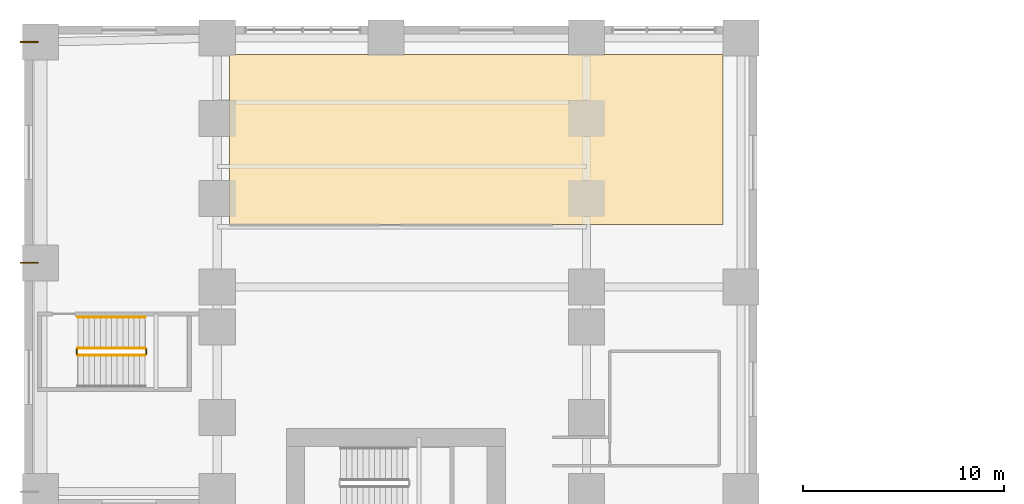
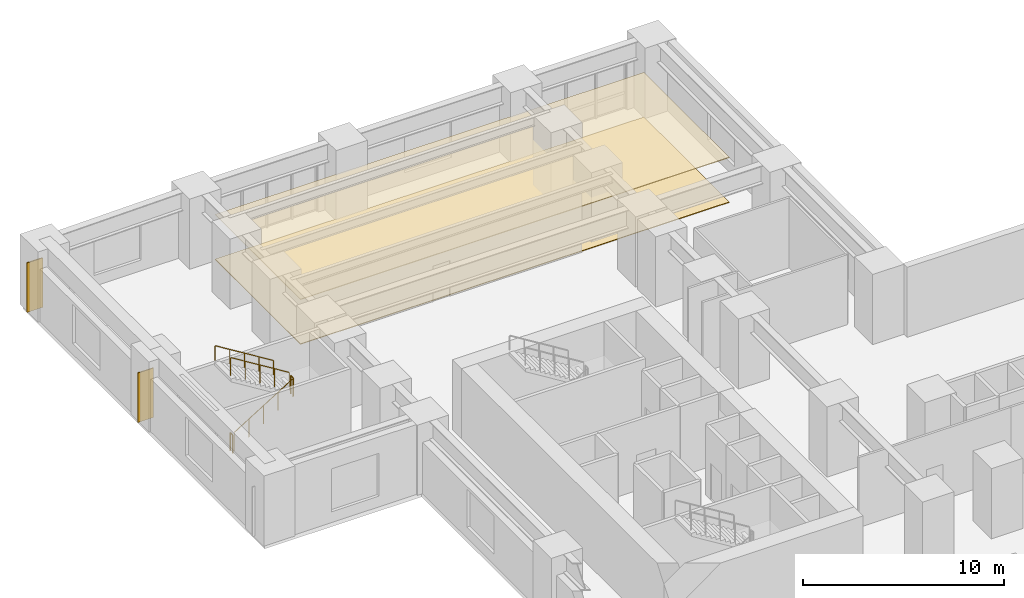
# One storey, part 11 of 11: 5 railings, 4 coverings.
"""IFC4 building model written with IfcOpenShell, lengths in metres."""

from ifc_helpers import new_model, si_unit, direction, frame, origin, origin_2d, place, context, subcontext, project, spatial, polyline, rectangle, circle, outline, extrude, source, transform, mapped, material, layer, layer_set, type_object, element, save


model = new_model("IFC4")

# Units and contexts
model_context = context("Model", 3, precision=1e-05, world=origin(), true_north=direction((0.0, 1.0)))
body_context = subcontext(model_context, "Body", "Model", "MODEL_VIEW")
ifc_project = project(units=[si_unit("LENGTHUNIT", "METRE"), si_unit("AREAUNIT", "SQUARE_METRE"), si_unit("VOLUMEUNIT", "CUBIC_METRE"), si_unit("PLANEANGLEUNIT", "RADIAN"), si_unit("MASSUNIT", "GRAM", prefix="KILO")], contexts=[model_context])

# Site, building, storey
site_placement = place(None, origin())
site = spatial("IfcSite", under=ifc_project, at=site_placement, CompositionType="ELEMENT")
building_placement = place(site_placement, origin())
building = spatial("IfcBuilding", under=site, at=building_placement, Name="Kharzan Plaza Tower", CompositionType="ELEMENT")
storey_placement = place(building_placement, frame((0.0, 0.0, 9.0)))
storey = spatial("IfcBuildingStorey", under=building, at=storey_placement, Name="L02", CompositionType="ELEMENT", Elevation=9.0)

# Coverings
ifc_material_1 = material(Name="Perforated Acoustic Mineral-Fibre Tile", Category="gypsum")
ifc_layer_1 = layer(ifc_material_1, 0.044921875)
ifc_layer_set_1 = layer_set([ifc_layer_1], Name="Perforated Acoustic Mineral-Fibre Tile")
covering_type_1 = type_object("IfcCoveringType", Name="COV-CEIL-ACT", PredefinedType="CEILING", material=ifc_layer_set_1)
covering_1_placement = place(storey_placement, frame((0.0, 0.0, 2.705078125)))
element("IfcCovering", 1, at=covering_1_placement, inside=storey, type_object=covering_type_1, Name="L02 Suspended Acoustic Ceiling AUD1", PredefinedType="CEILING", context=body_context, shape_type="SweptSolid", body=[
    extrude(outline(polyline([(1.2099609375, 40.110107421875), (25.7900390625, 40.110107421875), (25.7900390625, 48.590087890625), (1.2099609375, 48.590087890625), (1.2099609375, 40.110107421875)])), origin(), (0.0, 0.0, 1.0), 0.044921875),
])
ifc_material_2 = material(Name="Honed Najran Granite Terrazzo", Category="masonry")
ifc_layer_2 = layer(ifc_material_2, 0.0400390625)
ifc_layer_set_2 = layer_set([ifc_layer_2], Name="Honed Najran Granite Terrazzo")
covering_type_2 = type_object("IfcCoveringType", Name="COV-FLOOR-STN", PredefinedType="FLOORING", material=ifc_layer_set_2)
covering_2_placement = place(storey_placement, origin())
element("IfcCovering", 2, at=covering_2_placement, inside=storey, type_object=covering_type_2, Name="L02 Honed Granite Terrazzo Flooring AUD1", PredefinedType="FLOORING", context=body_context, shape_type="SweptSolid", body=[
    extrude(outline(polyline([(1.2099609375, 40.110107421875), (25.7900390625, 40.110107421875), (25.7900390625, 48.590087890625), (1.2099609375, 48.590087890625), (1.2099609375, 40.110107421875)])), origin(), (0.0, 0.0, 1.0), 0.0400390625),
])

# Railings
ifc_material_3 = material(Name="Painted Galvanized Architectural Steel", Category="steel")
ifc_layer_3 = layer(ifc_material_3, 0.074951171875)
ifc_layer_set_3 = layer_set([ifc_layer_3], Name="Painted Galvanized Architectural Steel")
railing_type_1 = type_object("IfcRailingType", Name="RL-GUARD-1120", PredefinedType="BALUSTRADE", material=ifc_layer_set_3)
shared_shape_1 = source(origin(), body_context, "Body", "SweptSolid", [
    extrude(circle(Radius=0.02392578125, at=origin_2d()), frame((0.0224609375, 0.0, 1.10986328125), z_axis=(0.850623216509, 0.0, 0.525775754039), x_axis=(0.0, 1.0, 0.0)), (0.0, 0.0, 1.0), 3.897216796875),
    extrude(circle(Radius=0.02099609375, at=origin_2d()), origin(), (0.0, 0.0, 1.0), 1.072021484375),
    extrude(circle(Radius=0.02099609375, at=origin_2d()), frame((0.840087890625, 0.0, 0.519287109375)), (0.0, 0.0, 1.0), 1.072021484375),
    extrude(circle(Radius=0.02099609375, at=origin_2d()), frame((1.68017578125, 0.0, 1.03857421875)), (0.0, 0.0, 1.0), 1.072021484375),
    extrude(circle(Radius=0.02099609375, at=origin_2d()), frame((2.52001953125, 0.0, 1.5576171875)), (0.0, 0.0, 1.0), 1.072021484375),
    extrude(circle(Radius=0.02099609375, at=origin_2d()), frame((3.360107421875, 0.0, 2.076904296875)), (0.0, 0.0, 1.0), 1.072021484375),
])
railing_1_placement = place(storey_placement, frame((-6.35009765625, 33.60009765625, 0.173095703125)))
element("IfcRailing", 3, at=railing_1_placement, inside=storey, type_object=railing_type_1, Name="L02 ST-4 stair guard 1", PredefinedType="BALUSTRADE", context=body_context, shape_type="MappedRepresentation", body=[
    mapped(shared_shape_1, transform((0.0, 0.0, 0.0), x_axis=(1.0, 0.0, 0.0), y_axis=(0.0, 1.0, 0.0), z_axis=(0.0, 0.0, 1.0))),
])
shared_shape_2 = source(origin(), body_context, "Body", "SweptSolid", [
    extrude(circle(Radius=0.02392578125, at=origin_2d()), frame((0.0, 0.0263671875, 1.09619140625), z_axis=(0.0, 1.0, 0.0), x_axis=(-1.0, 0.0, 0.0)), (0.0, 0.0, 1.0), 0.197021484375),
    extrude(circle(Radius=0.02099609375, at=origin_2d()), origin(), (0.0, 0.0, 1.0), 1.072021484375),
    extrude(circle(Radius=0.02099609375, at=origin_2d()), frame((0.0, 0.25, 0.0)), (0.0, 0.0, 1.0), 1.072021484375),
])
for number, where, name in (
    (4, (-2.93994140625, 33.64990234375, 2.25), "L02 ST-4 stair guard 2"),
    (5, (-6.39990234375, 33.64990234375, 0.0), "L02 ST-4 stair guard 4"),
):
    element("IfcRailing", number, at=place(storey_placement, frame(where)), inside=storey, type_object=railing_type_1, Name=name, PredefinedType="BALUSTRADE", context=body_context, shape_type="MappedRepresentation", body=[
        mapped(shared_shape_2, transform((0.0, 0.0, 0.0), x_axis=(1.0, 0.0, 0.0), y_axis=(0.0, 1.0, 0.0), z_axis=(0.0, 0.0, 1.0))),
    ])
shared_shape_3 = source(origin(), body_context, "Body", "SweptSolid", [
    extrude(circle(Radius=0.02392578125, at=origin_2d()), frame((-0.0224609375, 0.0, 1.10986328125), z_axis=(-0.850623216509, 0.0, 0.525775754039), x_axis=(0.0, -1.0, 0.0)), (0.0, 0.0, 1.0), 3.897216796875),
    extrude(circle(Radius=0.02099609375, at=origin_2d()), origin(), (0.0, 0.0, 1.0), 1.072021484375),
    extrude(circle(Radius=0.02099609375, at=origin_2d()), frame((-0.840087890625, 0.0, 0.519287109375)), (0.0, 0.0, 1.0), 1.072021484375),
    extrude(circle(Radius=0.02099609375, at=origin_2d()), frame((-1.68017578125, 0.0, 1.03857421875)), (0.0, 0.0, 1.0), 1.072021484375),
    extrude(circle(Radius=0.02099609375, at=origin_2d()), frame((-2.52001953125, 0.0, 1.5576171875)), (0.0, 0.0, 1.0), 1.072021484375),
    extrude(circle(Radius=0.02099609375, at=origin_2d()), frame((-3.360107421875, 0.0, 2.076904296875)), (0.0, 0.0, 1.0), 1.072021484375),
])
railing_2_placement = place(storey_placement, frame((-2.989990234375, 33.949951171875, 2.423095703125)))
element("IfcRailing", 6, at=railing_2_placement, inside=storey, type_object=railing_type_1, Name="L02 ST-4 stair guard 3", PredefinedType="BALUSTRADE", context=body_context, shape_type="MappedRepresentation", body=[
    mapped(shared_shape_3, transform((0.0, 0.0, 0.0), x_axis=(1.0, 0.0, 0.0), y_axis=(0.0, 1.0, 0.0), z_axis=(0.0, 0.0, 1.0))),
])
ifc_material_4 = material(Name="Brushed Stainless Steel", Category="steel")
ifc_layer_4 = layer(ifc_material_4, 0.050048828125)
ifc_layer_set_4 = layer_set([ifc_layer_4], Name="Brushed Stainless Steel")
railing_type_2 = type_object("IfcRailingType", Name="RL-STAIR-HR920", PredefinedType="HANDRAIL", material=ifc_layer_set_4)
shared_shape_4 = source(origin(), body_context, "Body", "SweptSolid", [
    extrude(circle(Radius=0.02392578125, at=origin_2d()), frame((-0.0224609375, 0.0, 0.8896484375), z_axis=(-0.850623216509, 0.0, 0.525775754039), x_axis=(0.0, -1.0, 0.0)), (0.0, 0.0, 1.0), 3.897216796875),
    extrude(circle(Radius=0.02099609375, at=origin_2d()), origin(), (0.0, 0.0, 1.0), 0.851806640625),
    extrude(circle(Radius=0.02099609375, at=origin_2d()), frame((-0.840087890625, 0.0, 0.519287109375)), (0.0, 0.0, 1.0), 0.851806640625),
    extrude(circle(Radius=0.02099609375, at=origin_2d()), frame((-1.68017578125, 0.0, 1.03857421875)), (0.0, 0.0, 1.0), 0.851806640625),
    extrude(circle(Radius=0.02099609375, at=origin_2d()), frame((-2.52001953125, 0.0, 1.5576171875)), (0.0, 0.0, 1.0), 0.851806640625),
    extrude(circle(Radius=0.02099609375, at=origin_2d()), frame((-3.360107421875, 0.0, 2.076904296875)), (0.0, 0.0, 1.0), 0.851806640625),
])
railing_3_placement = place(storey_placement, frame((-2.989990234375, 35.5, 2.423095703125)))
element("IfcRailing", 7, at=railing_3_placement, inside=storey, type_object=railing_type_2, Name="L02 ST-4 stair handrail 2", PredefinedType="HANDRAIL", context=body_context, shape_type="MappedRepresentation", body=[
    mapped(shared_shape_4, transform((0.0, 0.0, 0.0), x_axis=(1.0, 0.0, 0.0), y_axis=(0.0, 1.0, 0.0), z_axis=(0.0, 0.0, 1.0))),
])

# Coverings
ifc_material_5 = material(Name="Honed Riyadh Limestone", Category="masonry")
ifc_layer_5 = layer(ifc_material_5, 0.06005859375)
ifc_layer_set_5 = layer_set([ifc_layer_5], Name="Honed Riyadh Limestone")
covering_type_3 = type_object("IfcCoveringType", Name="COV-CLAD-STONE", PredefinedType="CLADDING", material=ifc_layer_set_5)
shared_shape_5 = source(origin(), body_context, "Body", "SweptSolid", [
    extrude(rectangle(XDim=0.06005859375, YDim=0.89990234375, at=origin_2d()), origin(), (0.0, 0.0, 1.0), 3.0),
])
for number, where, z_axis, x_axis, name in (
    (8, (-8.780029296875, 38.199951171875, 0.10009765625), (0.0, 0.0, 1.0), (0.0, 1.0, 0.0), "L02 Limestone Pier Rainscreen Cladding MC02"),
    (9, (-8.780029296875, 49.199951171875, 0.10009765625), (0.0, 0.0, 1.0), (0.0, 1.0, 0.0), "L02 Limestone Pier Rainscreen Cladding MC03"),
):
    element("IfcCovering", number, at=place(storey_placement, frame(where, z_axis=z_axis, x_axis=x_axis)), inside=storey, type_object=covering_type_3, Name=name, PredefinedType="CLADDING", context=body_context, shape_type="MappedRepresentation", body=[
        mapped(shared_shape_5, transform((0.0, 0.0, 0.0), x_axis=(1.0, 0.0, 0.0), y_axis=(0.0, 1.0, 0.0), z_axis=(0.0, 0.0, 1.0))),
    ])

save(model, "model.ifc")
